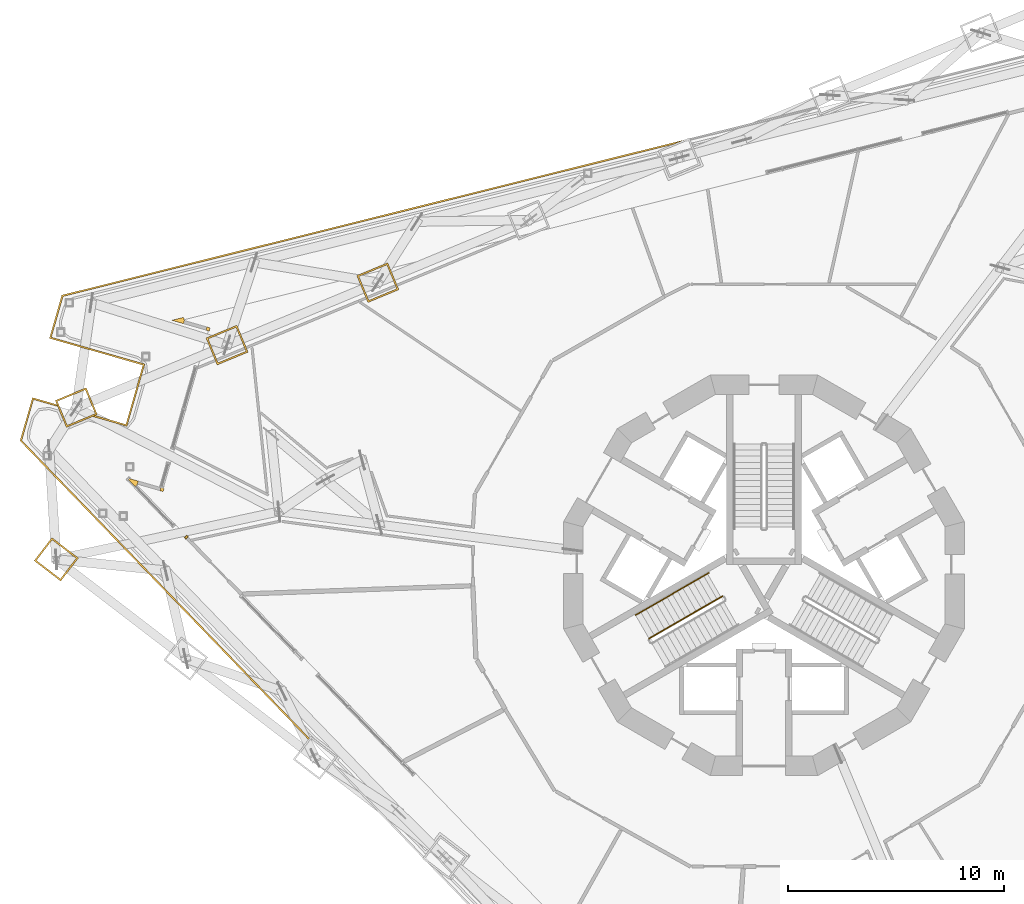
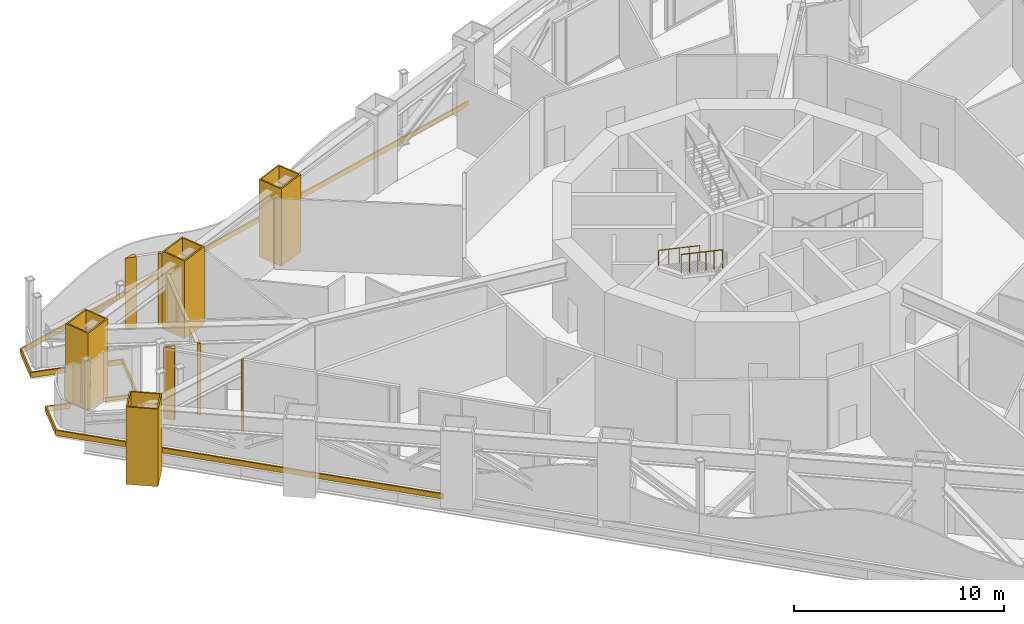
# One storey, part 23 of 26: 11 coverings, 3 railings.
"""IFC4 building model written with IfcOpenShell, lengths in metres."""

from ifc_helpers import new_model, si_unit, direction, frame, origin, origin_2d, place, context, subcontext, project, spatial, polyline, circle, outline, extrude, material, layer, layer_set, type_object, element, save


model = new_model("IFC4")

# Units and contexts
model_context = context("Model", 3, precision=1e-05, world=origin(), true_north=direction((0.0, 1.0)))
body_context = subcontext(model_context, "Body", "Model", "MODEL_VIEW")
ifc_project = project(units=[si_unit("LENGTHUNIT", "METRE"), si_unit("AREAUNIT", "SQUARE_METRE"), si_unit("VOLUMEUNIT", "CUBIC_METRE"), si_unit("PLANEANGLEUNIT", "RADIAN"), si_unit("MASSUNIT", "GRAM", prefix="KILO")], contexts=[model_context])

# Site, building, storey
site_placement = place(None, origin())
site = spatial("IfcSite", under=ifc_project, at=site_placement, CompositionType="ELEMENT")
building_placement = place(site_placement, origin())
building = spatial("IfcBuilding", under=site, at=building_placement, Name="Trine Commons Tower", CompositionType="ELEMENT")
storey_placement = place(building_placement, frame((0.0, 0.0, 119.699951171875)))
storey = spatial("IfcBuildingStorey", under=building, at=storey_placement, Name="L30", CompositionType="ELEMENT", Elevation=119.699951171875)

# Coverings
ifc_material_1 = material(Name="Aluminium-framed insulated wall panel", Category="aluminium")
ifc_layer_1 = layer(ifc_material_1, 0.14990234375)
ifc_layer_set_1 = layer_set([ifc_layer_1], Name="Aluminium-framed insulated wall panel")
covering_type_1 = type_object("IfcCoveringType", Name="Glazing corner post, aluminium", PredefinedType="CLADDING", material=ifc_layer_set_1)
covering_1_placement = place(storey_placement, origin())
element("IfcCovering", 1, at=covering_1_placement, inside=storey, type_object=covering_type_1, Name="Entrance wall jamb post F3 12B", PredefinedType="CLADDING", context=body_context, shape_type="SweptSolid", body=[
    extrude(outline(polyline([(53.25, 64.1748046875), (53.1806640625, 64.24658203125), (53.28857421875, 64.350830078125), (53.35791015625, 64.27880859375), (53.25, 64.1748046875)])), origin(), (0.0, 0.0, 1.0), 4.150146484375),
])
covering_2_placement = place(storey_placement, origin())
element("IfcCovering", 2, at=covering_2_placement, inside=storey, type_object=covering_type_1, Name="Glazing corner post 3-01", PredefinedType="CLADDING", context=body_context, shape_type="SweptSolid", body=[
    extrude(outline(polyline([(50.897216796875, 66.611083984375), (51.005126953125, 66.71533203125), (51.04638671875, 66.859619140625), (50.50830078125, 67.013916015625), (50.897216796875, 66.611083984375)])), origin(), (0.0, 0.0, 1.0), 4.150146484375),
])
covering_3_placement = place(storey_placement, origin())
element("IfcCovering", 3, at=covering_3_placement, inside=storey, type_object=covering_type_1, Name="Glazing corner post 3-02", PredefinedType="CLADDING", context=body_context, shape_type="SweptSolid", body=[
    extrude(outline(polyline([(52.048828125, 66.416015625), (52.193115234375, 66.374755859375), (52.234375, 66.518798828125), (52.090087890625, 66.560302734375), (52.048828125, 66.416015625)])), origin(), (0.0, 0.0, 1.0), 4.150146484375),
])
covering_4_placement = place(storey_placement, origin())
element("IfcCovering", 4, at=covering_4_placement, inside=storey, type_object=covering_type_1, Name="Glazing corner post 3-03", PredefinedType="CLADDING", context=body_context, shape_type="SweptSolid", body=[
    extrude(outline(polyline([(54.32373046875, 73.805419921875), (54.364990234375, 73.949462890625), (54.220703125, 73.99072265625), (54.179443359375, 73.8466796875), (54.32373046875, 73.805419921875)])), origin(), (0.0, 0.0, 1.0), 4.150146484375),
])
covering_5_placement = place(storey_placement, origin())
element("IfcCovering", 5, at=covering_5_placement, inside=storey, type_object=covering_type_1, Name="Glazing corner post 3-04", PredefinedType="CLADDING", context=body_context, shape_type="SweptSolid", body=[
    extrude(outline(polyline([(53.1357421875, 74.14599609375), (53.17724609375, 74.2900390625), (53.140869140625, 74.435546875), (52.59765625, 74.30029296875), (53.1357421875, 74.14599609375)])), origin(), (0.0, 0.0, 1.0), 4.150146484375),
])
ifc_material_2 = material(Name="Limestone, honed", Category="masonry")
ifc_layer_2 = layer(ifc_material_2, 0.074951171875)
ifc_layer_set_2 = layer_set([ifc_layer_2], Name="Limestone, honed")
covering_type_2 = type_object("IfcCoveringType", Name="Limestone column cladding 75", PredefinedType="CLADDING", material=ifc_layer_set_2)
covering_6_placement = place(storey_placement, origin())
element("IfcCovering", 6, at=covering_6_placement, inside=storey, type_object=covering_type_2, Name="Limestone pier cladding 4-08", PredefinedType="CLADDING", context=body_context, shape_type="SweptSolid", body=[
    extrude(outline(polyline([(47.044921875, 64.243896484375), (46.222900390625, 63.173095703125), (47.45263671875, 62.2294921875), (48.2744140625, 63.30029296875), (47.044921875, 64.243896484375)]), holes=[polyline([(47.05859375, 64.138916015625), (46.328125, 63.186767578125), (47.438720703125, 62.334716796875), (48.169189453125, 63.28662109375), (47.05859375, 64.138916015625)])]), origin(), (0.0, 0.0, 1.0), 4.5),
])
covering_7_placement = place(storey_placement, origin())
element("IfcCovering", 7, at=covering_7_placement, inside=storey, type_object=covering_type_2, Name="Limestone pier cladding 4-09", PredefinedType="CLADDING", context=body_context, shape_type="SweptSolid", body=[
    extrude(outline(polyline([(49.148193359375, 69.93798828125), (48.631591796875, 71.185302734375), (47.19970703125, 70.592041015625), (47.71630859375, 69.3447265625), (49.148193359375, 69.93798828125)]), holes=[polyline([(49.05029296875, 69.978515625), (48.591064453125, 71.087158203125), (47.297607421875, 70.551513671875), (47.7568359375, 69.44287109375), (49.05029296875, 69.978515625)])]), origin(), (0.0, 0.0, 1.0), 4.5),
])
covering_8_placement = place(storey_placement, origin())
element("IfcCovering", 8, at=covering_8_placement, inside=storey, type_object=covering_type_2, Name="Limestone pier cladding 4-10", PredefinedType="CLADDING", context=body_context, shape_type="SweptSolid", body=[
    extrude(outline(polyline([(56.12548828125, 72.827880859375), (55.60888671875, 74.0751953125), (54.1767578125, 73.48193359375), (54.693359375, 72.23486328125), (56.12548828125, 72.827880859375)]), holes=[polyline([(56.02734375, 72.86865234375), (55.568115234375, 73.977294921875), (54.27490234375, 73.44140625), (54.73388671875, 72.332763671875), (56.02734375, 72.86865234375)])]), origin(), (0.0, 0.0, 1.0), 4.5),
])
covering_9_placement = place(storey_placement, origin())
element("IfcCovering", 9, at=covering_9_placement, inside=storey, type_object=covering_type_2, Name="Limestone pier cladding 4-11", PredefinedType="CLADDING", context=body_context, shape_type="SweptSolid", body=[
    extrude(outline(polyline([(63.1025390625, 75.718017578125), (62.5859375, 76.965087890625), (61.15380859375, 76.3720703125), (61.67041015625, 75.124755859375), (63.1025390625, 75.718017578125)]), holes=[polyline([(63.00439453125, 75.758544921875), (62.54541015625, 76.8671875), (61.251953125, 76.331298828125), (61.711181640625, 75.222900390625), (63.00439453125, 75.758544921875)])]), origin(), (0.0, 0.0, 1.0), 4.5),
])
ifc_layer_3 = layer(ifc_material_2, 0.074951171875)
ifc_layer_set_3 = layer_set([ifc_layer_3], Name="Limestone, honed")
covering_type_3 = type_object("IfcCoveringType", Name="Limestone spandrel panel 75", PredefinedType="CLADDING", material=ifc_layer_set_3)
covering_10_placement = place(storey_placement, frame((0.0, 0.0, -0.300048828125)))
element("IfcCovering", 10, at=covering_10_placement, inside=storey, type_object=covering_type_3, Name="Limestone spandrel panel 3-08", PredefinedType="CLADDING", context=body_context, shape_type="SweptSolid", body=[
    extrude(outline(polyline([(50.468505859375, 69.485595703125), (49.04296875, 69.894287109375), (48.931640625, 69.84814453125), (50.52001953125, 69.392822265625), (51.346923828125, 72.276611328125), (47.021240234375, 73.516845703125), (47.562744140625, 75.405029296875), (75.83984375, 82.455078125), (76.30859375, 82.6494140625), (47.50244140625, 75.46728515625), (46.928466796875, 73.465576171875), (51.254150390625, 72.22509765625), (50.468505859375, 69.485595703125)])), origin(), (0.0, 0.0, 1.0), 0.300048828125),
])
covering_11_placement = place(storey_placement, frame((0.0, 0.0, -0.300048828125)))
element("IfcCovering", 11, at=covering_11_placement, inside=storey, type_object=covering_type_3, Name="Limestone spandrel panel 3-09", PredefinedType="CLADDING", context=body_context, shape_type="SweptSolid", body=[
    extrude(outline(polyline([(45.569091796875, 68.72412109375), (58.91552734375, 54.9033203125), (58.961669921875, 54.963623046875), (45.653076171875, 68.7451171875), (46.1943359375, 70.63330078125), (47.31591796875, 70.3115234375), (47.279296875, 70.400146484375), (46.14306640625, 70.725830078125), (45.569091796875, 68.72412109375)])), origin(), (0.0, 0.0, 1.0), 0.300048828125),
])

# Railings
ifc_material_3 = material(Name="Stainless steel balustrade", Category="steel")
railing_type_1 = type_object("IfcRailingType", Name="Stair guard, steel balustrade 1100", PredefinedType="GUARDRAIL", material=ifc_material_3)
railing_1_placement = place(storey_placement, frame((78.074951171875, 61.532958984375, 2.400146484375)))
element("IfcRailing", 12, at=railing_1_placement, inside=storey, type_object=railing_type_1, Name="L30 ST2B stair guard 3", PredefinedType="GUARDRAIL", context=body_context, shape_type="SweptSolid", body=[
    extrude(circle(Radius=0.02392578125, at=origin_2d()), frame((0.0, 0.0, 1.076171875), z_axis=(-0.763394730363, -0.440743106462, 0.472201228037), x_axis=(0.499997407846, -0.86602690036, 0.0)), (0.0, 0.0, 1.0), 4.447021484375),
    extrude(circle(Radius=0.02099609375, at=origin_2d()), origin(), (0.0, 0.0, 1.0), 1.052001953125),
    extrude(circle(Radius=0.02099609375, at=origin_2d()), frame((-0.678955078125, -0.39208984375, 0.419921875)), (0.0, 0.0, 1.0), 1.052001953125),
    extrude(circle(Radius=0.02099609375, at=origin_2d()), frame((-1.35791015625, -0.783935546875, 0.83984375)), (0.0, 0.0, 1.0), 1.052001953125),
    extrude(circle(Radius=0.02099609375, at=origin_2d()), frame((-2.036865234375, -1.176025390625, 1.260009765625)), (0.0, 0.0, 1.0), 1.052001953125),
    extrude(circle(Radius=0.02099609375, at=origin_2d()), frame((-2.7158203125, -1.56787109375, 1.679931640625)), (0.0, 0.0, 1.0), 1.052001953125),
    extrude(circle(Radius=0.02099609375, at=origin_2d()), frame((-3.394775390625, -1.9599609375, 2.099853515625)), (0.0, 0.0, 1.0), 1.052001953125),
])
ifc_material_4 = material(Name="Stainless steel handrail", Category="steel")
railing_type_2 = type_object("IfcRailingType", Name="Stair handrail, steel 900", PredefinedType="HANDRAIL", material=ifc_material_4)
railing_2_placement = place(storey_placement, frame((77.449951171875, 62.615478515625, 2.400146484375)))
element("IfcRailing", 13, at=railing_2_placement, inside=storey, type_object=railing_type_2, Name="L30 ST2B stair handrail 3", PredefinedType="HANDRAIL", context=body_context, shape_type="SweptSolid", body=[
    extrude(circle(Radius=0.02099609375, at=origin_2d()), frame((0.0, 0.0, 0.87890625), z_axis=(-0.76339161385, -0.440773006041, 0.472178357243), x_axis=(0.500024377727, -0.866011328839, 0.0)), (0.0, 0.0, 1.0), 2.223388671875),
    extrude(circle(Radius=0.01513671875, at=origin_2d()), origin(), (0.0, 0.0, 1.0), 0.85791015625),
    extrude(circle(Radius=0.01513671875, at=origin_2d()), frame((-0.8486328125, -0.489990234375, 0.52490234375)), (0.0, 0.0, 1.0), 0.85791015625),
    extrude(circle(Radius=0.01513671875, at=origin_2d()), frame((-1.697265625, -0.97998046875, 1.0498046875)), (0.0, 0.0, 1.0), 0.85791015625),
])
railing_3_placement = place(storey_placement, frame((75.752685546875, 61.635498046875, 3.449951171875)))
element("IfcRailing", 14, at=railing_3_placement, inside=storey, type_object=railing_type_2, Name="L30 ST2B stair handrail 4", PredefinedType="HANDRAIL", context=body_context, shape_type="SweptSolid", body=[
    extrude(circle(Radius=0.02099609375, at=origin_2d()), frame((0.0, 0.0, 0.87890625), z_axis=(-0.763397845365, -0.440713210311, 0.472224095054), x_axis=(0.499970440388, -0.866042469362, 0.0)), (0.0, 0.0, 1.0), 2.2236328125),
    extrude(circle(Radius=0.01513671875, at=origin_2d()), origin(), (0.0, 0.0, 1.0), 0.85791015625),
    extrude(circle(Radius=0.01513671875, at=origin_2d()), frame((-0.8486328125, -0.489990234375, 0.52490234375)), (0.0, 0.0, 1.0), 0.85791015625),
    extrude(circle(Radius=0.01513671875, at=origin_2d()), frame((-1.697509765625, -0.97998046875, 1.050048828125)), (0.0, 0.0, 1.0), 0.85791015625),
])

save(model, "model.ifc")
